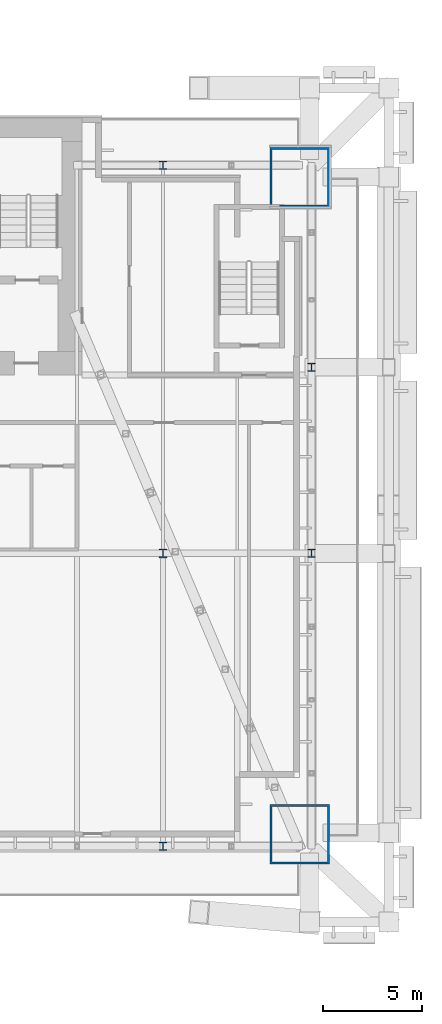
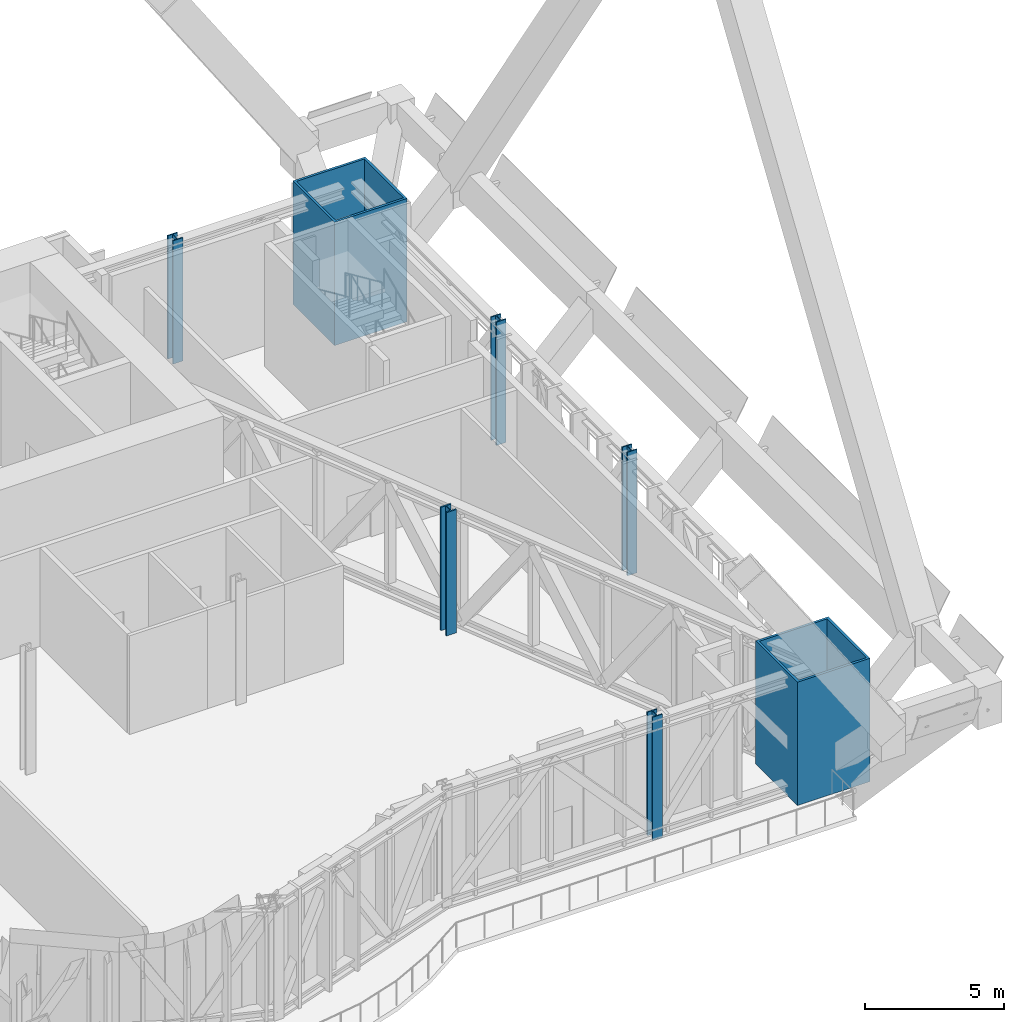
# One storey, part 3 of 32: 7 columns.
"""IFC4 building model written with IfcOpenShell, lengths in metres."""

from ifc_helpers import new_model, si_unit, direction, frame, origin, origin_2d, place, context, subcontext, project, spatial, hollow_rectangle, i_section, extrude, material, material_profile, profile_set, type_object, element, save


model = new_model("IFC4")

# Units and contexts
model_context = context("Model", 3, precision=1e-05, world=origin(), true_north=direction((0.0, 1.0)))
body_context = subcontext(model_context, "Body", "Model", "MODEL_VIEW")
ifc_project = project(units=[si_unit("LENGTHUNIT", "METRE"), si_unit("AREAUNIT", "SQUARE_METRE"), si_unit("VOLUMEUNIT", "CUBIC_METRE"), si_unit("PLANEANGLEUNIT", "RADIAN"), si_unit("MASSUNIT", "GRAM", prefix="KILO")], contexts=[model_context])

# Site, building, storey
site_placement = place(None, origin())
site = spatial("IfcSite", under=ifc_project, at=site_placement, CompositionType="ELEMENT")
building_placement = place(site_placement, origin())
building = spatial("IfcBuilding", under=site, at=building_placement, Name="Bicima Exchange Tower", CompositionType="ELEMENT")
storey_placement = place(building_placement, frame((0.0, 0.0, 84.5)))
storey = spatial("IfcBuildingStorey", under=building, at=storey_placement, Name="L17", CompositionType="ELEMENT", Elevation=84.5)

# Columns
ifc_material_1 = material(Name="Steel ASTM A992 Gr 50", Category="steel")
ifc_material_profile_1 = material_profile(ifc_material_1, i_section(OverallWidth=0.419189453125, OverallDepth=0.45458984375, WebThickness=0.042236328125, FlangeThickness=0.067626953125, at=origin_2d()))
ifc_profile_set_1 = profile_set([ifc_material_profile_1], Name="Steel ASTM A992 Gr 50")
column_type_1 = type_object("IfcColumnType", Name="Interior column W14x370", PredefinedType="COLUMN", material=ifc_profile_set_1)
column_placement = place(storey_placement, frame((26.10009765625, -22.0, 0.0), z_axis=(0.0, 0.0, 1.0), x_axis=(1.0, 0.0, 0.0)))
element("IfcColumn", 1, at=column_placement, inside=storey, type_object=column_type_1, Name="Interior column interior+26.1i", PredefinedType="COLUMN", context=body_context, shape_type="SweptSolid", body=[
    extrude(i_section(OverallWidth=0.419189453125, OverallDepth=0.45458984375, WebThickness=0.042236328125, FlangeThickness=0.067626953125, at=origin_2d()), origin(), (0.0, 0.0, 1.0), 5.39990234375),
])
ifc_material_2 = material(Name="Steel ASTM A572 Gr 50", Category="steel")
ifc_material_profile_2 = material_profile(ifc_material_2, hollow_rectangle(XDim=3.0, YDim=3.0, WallThickness=0.10009765625, at=origin_2d()))
ifc_profile_set_2 = profile_set([ifc_material_profile_2], Name="Steel ASTM A572 Gr 50")
column_type_2 = type_object("IfcColumnType", Name="Mega column BOX 3000x3000x100", PredefinedType="COLUMN", material=ifc_profile_set_2)
for number, where, z_axis, x_axis, name in (
    (2, (33.0, -36.194091796875, 0.0), (0.0, 0.0, 1.0), (1.0, 0.0, 0.0), "Mega column mega+33.0f"),
    (3, (33.0, -3.0, 0.0), (0.0, 0.0, 1.0), (1.0, 0.0, 0.0), "Mega column mega+33.0r"),
):
    element("IfcColumn", number, at=place(storey_placement, frame(where, z_axis=z_axis, x_axis=x_axis)), inside=storey, type_object=column_type_2, Name=name, PredefinedType="COLUMN", context=body_context, shape_type="SweptSolid", body=[
        extrude(hollow_rectangle(XDim=3.0, YDim=3.0, WallThickness=0.10009765625, at=origin_2d()), origin(), (0.0, 0.0, 1.0), 5.39990234375),
    ])
ifc_material_profile_3 = material_profile(ifc_material_1, i_section(OverallWidth=0.406494140625, OverallDepth=0.41650390625, WebThickness=0.030029296875, FlangeThickness=0.048095703125, at=origin_2d()))
ifc_profile_set_3 = profile_set([ifc_material_profile_3], Name="Steel ASTM A992 Gr 50")
column_type_3 = type_object("IfcColumnType", Name="Perimeter column W14x257", PredefinedType="COLUMN", material=ifc_profile_set_3)
for number, where, z_axis, x_axis, name in (
    (4, (26.10009765625, -36.7939453125, 0.0), (0.0, 0.0, 1.0), (1.0, 0.0, 0.0), "Perimeter column grav+26.1f"),
    (5, (26.10009765625, -2.39990234375, 0.0), (0.0, 0.0, 1.0), (1.0, 0.0, 0.0), "Perimeter column grav+26.1r"),
    (6, (33.60009765625, -12.60009765625, 0.0), (0.0, 0.0, 1.0), (1.0, 0.0, 0.0), "End column end+33.6e"),
    (7, (33.60009765625, -22.0, 0.0), (0.0, 0.0, 1.0), (1.0, 0.0, 0.0), "End column end+33.6e"),
):
    element("IfcColumn", number, at=place(storey_placement, frame(where, z_axis=z_axis, x_axis=x_axis)), inside=storey, type_object=column_type_3, Name=name, PredefinedType="COLUMN", context=body_context, shape_type="SweptSolid", body=[
        extrude(i_section(OverallWidth=0.406494140625, OverallDepth=0.41650390625, WebThickness=0.030029296875, FlangeThickness=0.048095703125, at=origin_2d()), origin(), (0.0, 0.0, 1.0), 5.39990234375),
    ])

save(model, "model.ifc")
